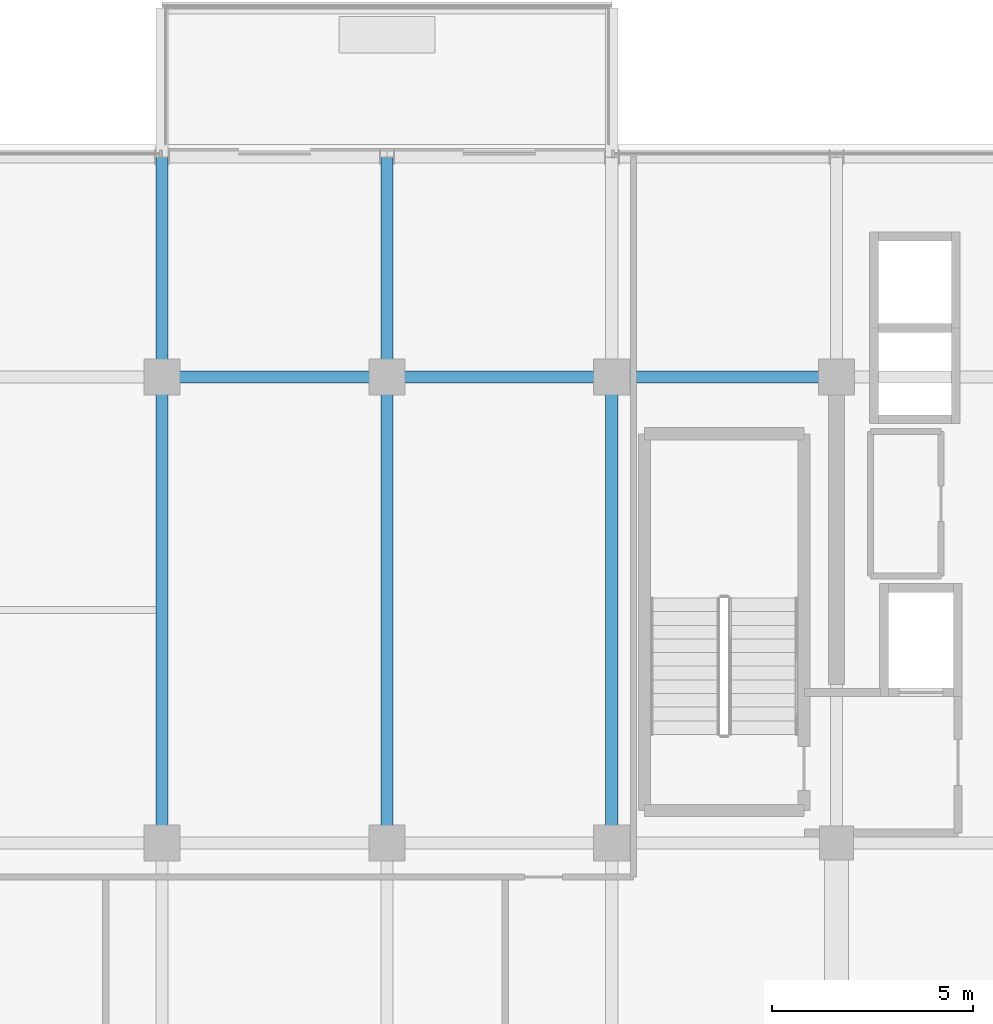
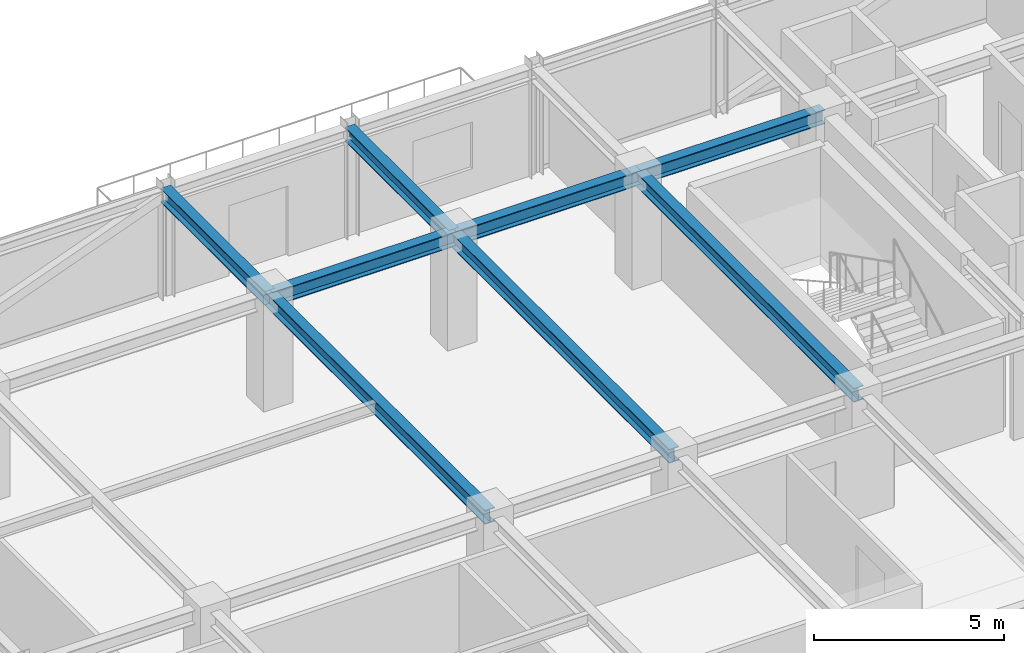
# One storey, part 20 of 36: 8 beams.
"""IFC4 building model written with IfcOpenShell, lengths in metres."""

from ifc_helpers import new_model, si_unit, direction, frame, origin, origin_2d, place, context, subcontext, project, spatial, i_section, extrude, source, transform, mapped, material, material_profile, profile_set, type_object, element, save


model = new_model("IFC4")

# Units and contexts
model_context = context("Model", 3, precision=1e-05, world=origin(), true_north=direction((0.0, 1.0)))
body_context = subcontext(model_context, "Body", "Model", "MODEL_VIEW")
ifc_project = project(units=[si_unit("LENGTHUNIT", "METRE"), si_unit("AREAUNIT", "SQUARE_METRE"), si_unit("VOLUMEUNIT", "CUBIC_METRE"), si_unit("PLANEANGLEUNIT", "RADIAN"), si_unit("MASSUNIT", "GRAM", prefix="KILO")], contexts=[model_context])

# Site, building, storey
site_placement = place(None, origin())
site = spatial("IfcSite", under=ifc_project, at=site_placement, CompositionType="ELEMENT")
building_placement = place(site_placement, origin())
building = spatial("IfcBuilding", under=site, at=building_placement, Name="Nahalor Promenade Grand Hotel", CompositionType="ELEMENT")
storey_placement = place(building_placement, frame((0.0, 0.0, 319.550048828125)))
storey = spatial("IfcBuildingStorey", under=building, at=storey_placement, Name="L82", CompositionType="ELEMENT", Elevation=319.550048828125)

# Beams
ifc_material = material(Name="Steel S355JR", Category="steel")
ifc_material_profile = material_profile(ifc_material, i_section(OverallWidth=0.3, OverallDepth=0.45, WebThickness=0.014, FlangeThickness=0.026, at=origin_2d()), Name="HEB 450")
ifc_profile_set = profile_set([ifc_material_profile], Name="Steel S355JR")
beam_type = type_object("IfcBeamType", Name="Beam-Girder-HEB450", PredefinedType="BEAM", material=ifc_profile_set)
shared_shape_1 = source(origin(), body_context, "Body", "SweptSolid", [
    extrude(i_section(OverallWidth=0.3, OverallDepth=0.45, WebThickness=0.014, FlangeThickness=0.026, at=origin_2d()), origin(), (0.0, 0.0, 1.0), 5.599853515625),
])
for number, where, z_axis, x_axis, name in (
    (1, (-8.39990234375, 17.0, 3.27490234375), (1.0, 0.0, 0.0), (0.0, 1.0, 0.0), "BM-L82-GX-3-2"),
    (2, (2.800048828125, 17.0, 3.27490234375), (1.0, 0.0, 0.0), (0.0, 1.0, 0.0), "BM-L82-GX-3-4"),
):
    element("IfcBeam", number, at=place(storey_placement, frame(where, z_axis=z_axis, x_axis=x_axis)), inside=storey, type_object=beam_type, Name=name, PredefinedType="BEAM", context=body_context, shape_type="MappedRepresentation", body=[
        mapped(shared_shape_1, transform((0.0, 0.0, 0.0), scale=1.0)),
    ])
shared_shape_2 = source(origin(), body_context, "Body", "SweptSolid", [
    extrude(i_section(OverallWidth=0.3, OverallDepth=0.45, WebThickness=0.014, FlangeThickness=0.026, at=origin_2d()), origin(), (0.0, 0.0, 1.0), 5.60009765625),
])
beam_placement = place(storey_placement, frame((-2.800048828125, 17.0, 3.27490234375), z_axis=(1.0, 0.0, 0.0), x_axis=(0.0, 1.0, 0.0)))
element("IfcBeam", 3, at=beam_placement, inside=storey, type_object=beam_type, Name="BM-L82-GX-3-3", PredefinedType="BEAM", context=body_context, shape_type="MappedRepresentation", body=[
    mapped(shared_shape_2, transform((0.0, 0.0, 0.0), scale=1.0)),
])
shared_shape_3 = source(origin(), body_context, "Body", "SweptSolid", [
    extrude(i_section(OverallWidth=0.3, OverallDepth=0.45, WebThickness=0.014, FlangeThickness=0.026, at=origin_2d()), origin(), (0.0, 0.0, 1.0), 11.60009765625),
])
for number, where, z_axis, x_axis, name in (
    (4, (-8.39990234375, 5.39990234375, 3.27490234375), (0.0, 1.0, 0.0), (-1.0, 0.0, 0.0), "BM-L82-GY-1-3"),
    (5, (-2.800048828125, 5.39990234375, 3.27490234375), (0.0, 1.0, 0.0), (-1.0, 0.0, 0.0), "BM-L82-GY-2-3"),
    (6, (2.800048828125, 5.39990234375, 3.27490234375), (0.0, 1.0, 0.0), (-1.0, 0.0, 0.0), "BM-L82-GY-3-3"),
):
    element("IfcBeam", number, at=place(storey_placement, frame(where, z_axis=z_axis, x_axis=x_axis)), inside=storey, type_object=beam_type, Name=name, PredefinedType="BEAM", context=body_context, shape_type="MappedRepresentation", body=[
        mapped(shared_shape_3, transform((0.0, 0.0, 0.0), scale=1.0)),
    ])
shared_shape_4 = source(origin(), body_context, "Body", "SweptSolid", [
    extrude(i_section(OverallWidth=0.3, OverallDepth=0.45, WebThickness=0.014, FlangeThickness=0.026, at=origin_2d()), origin(), (0.0, 0.0, 1.0), 5.47998046875),
])
for number, where, z_axis, x_axis, name in (
    (7, (-8.39990234375, 17.0, 3.27490234375), (0.0, 1.0, 0.0), (-1.0, 0.0, 0.0), "BM-L82-GY-1-4"),
    (8, (-2.800048828125, 17.0, 3.27490234375), (0.0, 1.0, 0.0), (-1.0, 0.0, 0.0), "BM-L82-GY-2-4"),
):
    element("IfcBeam", number, at=place(storey_placement, frame(where, z_axis=z_axis, x_axis=x_axis)), inside=storey, type_object=beam_type, Name=name, PredefinedType="BEAM", context=body_context, shape_type="MappedRepresentation", body=[
        mapped(shared_shape_4, transform((0.0, 0.0, 0.0), scale=1.0)),
    ])

save(model, "model.ifc")
